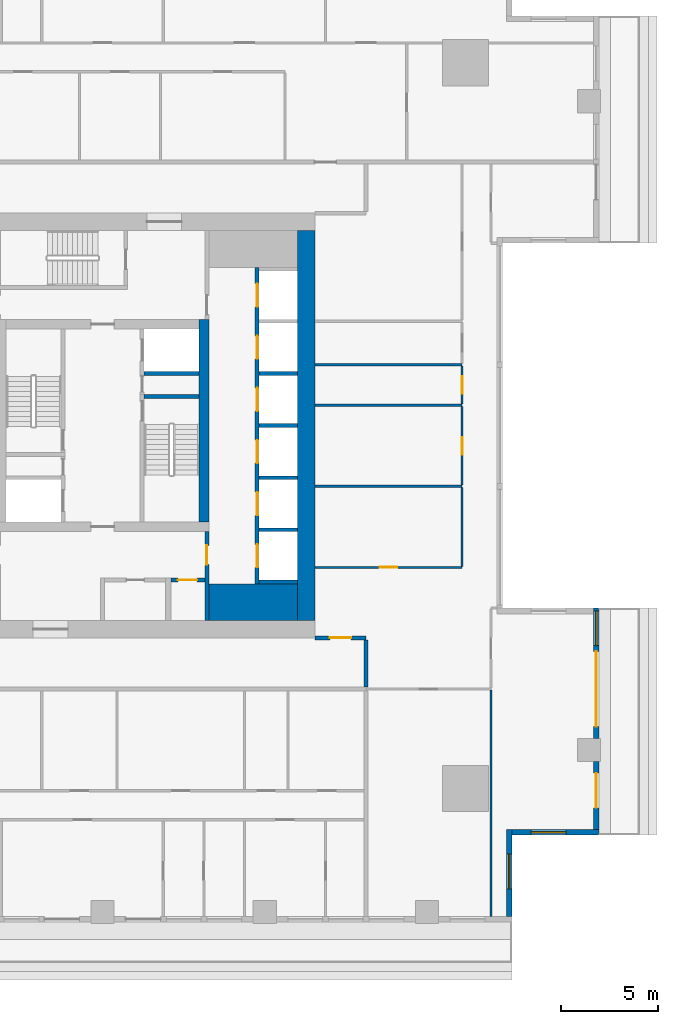
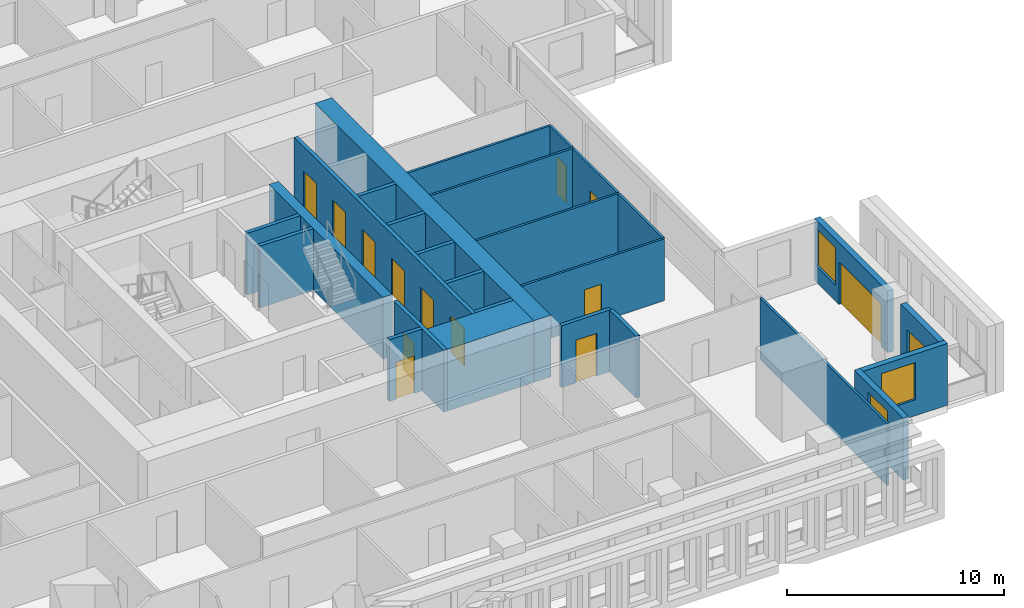
# One storey, part 5 of 15: 27 walls, 14 doors, 3 windows, 17 openings.
"""IFC4 building model written with IfcOpenShell, lengths in metres."""

from ifc_helpers import new_model, si_unit, direction, frame, frame_2d, origin, place, context, subcontext, project, spatial, rectangle, extrude, material, layer, layer_set, type_object, element, fill, save


model = new_model("IFC4")

# Units and contexts
model_context = context("Model", 3, precision=1e-05, world=origin(), true_north=direction((0.0, 1.0)))
body_context = subcontext(model_context, "Body", "Model", "MODEL_VIEW")
ifc_project = project(units=[si_unit("LENGTHUNIT", "METRE"), si_unit("AREAUNIT", "SQUARE_METRE"), si_unit("VOLUMEUNIT", "CUBIC_METRE"), si_unit("PLANEANGLEUNIT", "RADIAN"), si_unit("MASSUNIT", "GRAM", prefix="KILO")], contexts=[model_context])

# Site, building, storey
site_placement = place(None, origin())
site = spatial("IfcSite", under=ifc_project, at=site_placement, CompositionType="ELEMENT")
building_placement = place(site_placement, origin())
building = spatial("IfcBuilding", under=site, at=building_placement, Name="Khepri Terraces", CompositionType="ELEMENT")
storey_placement = place(building_placement, frame((0.0, 0.0, 215.699951171875)))
storey = spatial("IfcBuildingStorey", under=building, at=storey_placement, Name="L51", CompositionType="ELEMENT", Elevation=215.699951171875)

# Walls
ifc_material_1 = material(Name="Concrete C50/60", Category="concrete")
ifc_layer_1 = layer(ifc_material_1, 1.89990234375, Name="Concrete C50/60", Category="concrete")
ifc_layer_set_1 = layer_set([ifc_layer_1], Name="Concrete C50/60")
wall_type_1 = type_object("IfcWallType", Name="Core wall 1900 C50/60", PredefinedType="SHEAR", material=ifc_layer_set_1)
wall_1_placement = place(storey_placement, frame((5.5, -9.14990234375, 0.0), z_axis=(0.0, 0.0, 1.0), x_axis=(1.0, 0.0, 0.0)))
element("IfcWall", 1, at=wall_1_placement, inside=storey, type_object=wall_type_1, Name="Core wall PR02 L51", PredefinedType="SHEAR", context=body_context, shape_type="SweptSolid", body=[
    extrude(rectangle(XDim=4.60009765625, YDim=1.89990234375, at=frame_2d((2.300048828125, 0.0))), origin(), (0.0, 0.0, 1.0), 3.47998046875),
])
ifc_layer_2 = layer(ifc_material_1, 0.199951171875, Name="Concrete C50/60", Category="concrete")
ifc_layer_set_2 = layer_set([ifc_layer_2], Name="Concrete C50/60")
wall_type_2 = type_object("IfcWallType", Name="Core wall 200 C50/60", PredefinedType="SHEAR", material=ifc_layer_set_2)
wall_2_placement = place(storey_placement, frame((2.14990234375, 1.5, 0.0), z_axis=(0.0, 0.0, 1.0), x_axis=(1.0, 0.0, 0.0)))
element("IfcWall", 2, at=wall_2_placement, inside=storey, type_object=wall_type_2, Name="Core wall ST04 L51", PredefinedType="SHEAR", context=body_context, shape_type="SweptSolid", body=[
    extrude(rectangle(XDim=2.85009765625, YDim=0.199951171875, at=frame_2d((1.425048828125, 0.0))), origin(), (0.0, 0.0, 1.0), 3.47998046875),
])

# Wall, openings, doors
wall_3_placement = place(storey_placement, frame((8.0, -8.199951171875, 0.0), z_axis=(0.0, 0.0, 1.0), x_axis=(0.0, 1.0, 0.0)))
wall_3 = element("IfcWall", 3, at=wall_3_placement, inside=storey, type_object=wall_type_2, Name="Core wall SH02 L51", PredefinedType="SHEAR", context=body_context, shape_type="SweptSolid", body=[
    extrude(rectangle(XDim=16.39990234375, YDim=0.199951171875, at=frame_2d((8.199951171875, 0.0))), origin(), (0.0, 0.0, 1.0), 3.47998046875),
])
opening_1_placement = place(wall_3_placement, frame((0.85009765625, 0.0, 0.0)))
opening_1 = element("IfcOpeningElement", 4, at=opening_1_placement, cuts=wall_3, Name="Opening L51-C01", PredefinedType="OPENING", context=body_context, shape_type="SweptSolid", body=[
    extrude(rectangle(XDim=1.199951171875, YDim=2.10009765625, at=frame_2d((0.60009765625, 1.050048828125))), frame((0.0, 0.10986328125, 0.0), z_axis=(0.0, -1.0, 0.0), x_axis=(1.0, 0.0, 0.0)), (0.0, 0.0, 1.0), 0.219970703125),
])
opening_2_placement = place(wall_3_placement, frame((3.550048828125, 0.0, 0.0)))
opening_2 = element("IfcOpeningElement", 5, at=opening_2_placement, cuts=wall_3, Name="Opening L51-C02", PredefinedType="OPENING", context=body_context, shape_type="SweptSolid", body=[
    extrude(rectangle(XDim=1.199951171875, YDim=2.10009765625, at=frame_2d((0.60009765625, 1.050048828125))), frame((0.0, 0.10986328125, 0.0), z_axis=(0.0, -1.0, 0.0), x_axis=(1.0, 0.0, 0.0)), (0.0, 0.0, 1.0), 0.219970703125),
])
opening_3_placement = place(wall_3_placement, frame((6.25, 0.0, 0.0)))
opening_3 = element("IfcOpeningElement", 6, at=opening_3_placement, cuts=wall_3, Name="Opening L51-C03", PredefinedType="OPENING", context=body_context, shape_type="SweptSolid", body=[
    extrude(rectangle(XDim=1.199951171875, YDim=2.10009765625, at=frame_2d((0.60009765625, 1.050048828125))), frame((0.0, 0.10986328125, 0.0), z_axis=(0.0, -1.0, 0.0), x_axis=(1.0, 0.0, 0.0)), (0.0, 0.0, 1.0), 0.219970703125),
])
opening_4_placement = place(wall_3_placement, frame((8.949951171875, 0.0, 0.0)))
opening_4 = element("IfcOpeningElement", 7, at=opening_4_placement, cuts=wall_3, Name="Opening L51-C04", PredefinedType="OPENING", context=body_context, shape_type="SweptSolid", body=[
    extrude(rectangle(XDim=1.199951171875, YDim=2.10009765625, at=frame_2d((0.60009765625, 1.050048828125))), frame((0.0, 0.10986328125, 0.0), z_axis=(0.0, -1.0, 0.0), x_axis=(1.0, 0.0, 0.0)), (0.0, 0.0, 1.0), 0.219970703125),
])
opening_5_placement = place(wall_3_placement, frame((11.64990234375, 0.0, 0.0)))
opening_5 = element("IfcOpeningElement", 8, at=opening_5_placement, cuts=wall_3, Name="Opening L51-C05", PredefinedType="OPENING", context=body_context, shape_type="SweptSolid", body=[
    extrude(rectangle(XDim=1.199951171875, YDim=2.10009765625, at=frame_2d((0.60009765625, 1.050048828125))), frame((0.0, 0.10986328125, 0.0), z_axis=(0.0, -1.0, 0.0), x_axis=(1.0, 0.0, 0.0)), (0.0, 0.0, 1.0), 0.219970703125),
])
opening_6_placement = place(wall_3_placement, frame((14.35009765625, 0.0, 0.0)))
opening_6 = element("IfcOpeningElement", 9, at=opening_6_placement, cuts=wall_3, Name="Opening L51-C06", PredefinedType="OPENING", context=body_context, shape_type="SweptSolid", body=[
    extrude(rectangle(XDim=1.199951171875, YDim=2.10009765625, at=frame_2d((0.60009765625, 1.050048828125))), frame((0.0, 0.10986328125, 0.0), z_axis=(0.0, -1.0, 0.0), x_axis=(1.0, 0.0, 0.0)), (0.0, 0.0, 1.0), 0.219970703125),
])
ifc_material_2 = material(Name="Stainless steel 304", Category="steel")
door_type_1 = type_object("IfcDoorType", Name="DR-CORE-LANDING-1200", OperationType="NOTDEFINED", PredefinedType="DOOR", material=ifc_material_2)
door_1_placement = place(opening_1_placement, origin())
door_1 = element("IfcDoor", 10, at=door_1_placement, inside=storey, type_object=door_type_1, Name="Lift landing door L51-C01", OperationType="SLIDING_TO_LEFT", OverallHeight=2.10009765625, OverallWidth=1.199951171875, PredefinedType="DOOR", context=body_context, shape_type="SweptSolid", body=[
    extrude(rectangle(XDim=1.199951171875, YDim=2.10009765625, at=frame_2d((0.60009765625, 1.050048828125))), frame((0.0, 0.02490234375, 0.0), z_axis=(0.0, -1.0, 0.0), x_axis=(1.0, 0.0, 0.0)), (0.0, 0.0, 1.0), 0.050048828125),
])
fill(opening_1, door_1)
door_2_placement = place(opening_2_placement, origin())
door_2 = element("IfcDoor", 11, at=door_2_placement, inside=storey, type_object=door_type_1, Name="Lift landing door L51-C02", OperationType="SLIDING_TO_LEFT", OverallHeight=2.10009765625, OverallWidth=1.199951171875, PredefinedType="DOOR", context=body_context, shape_type="SweptSolid", body=[
    extrude(rectangle(XDim=1.199951171875, YDim=2.10009765625, at=frame_2d((0.60009765625, 1.050048828125))), frame((0.0, 0.02490234375, 0.0), z_axis=(0.0, -1.0, 0.0), x_axis=(1.0, 0.0, 0.0)), (0.0, 0.0, 1.0), 0.050048828125),
])
fill(opening_2, door_2)
door_3_placement = place(opening_3_placement, origin())
door_3 = element("IfcDoor", 12, at=door_3_placement, inside=storey, type_object=door_type_1, Name="Lift landing door L51-C03", OperationType="SLIDING_TO_LEFT", OverallHeight=2.10009765625, OverallWidth=1.199951171875, PredefinedType="DOOR", context=body_context, shape_type="SweptSolid", body=[
    extrude(rectangle(XDim=1.199951171875, YDim=2.10009765625, at=frame_2d((0.60009765625, 1.050048828125))), frame((0.0, 0.02490234375, 0.0), z_axis=(0.0, -1.0, 0.0), x_axis=(1.0, 0.0, 0.0)), (0.0, 0.0, 1.0), 0.050048828125),
])
fill(opening_3, door_3)
door_4_placement = place(opening_4_placement, origin())
door_4 = element("IfcDoor", 13, at=door_4_placement, inside=storey, type_object=door_type_1, Name="Lift landing door L51-C04", OperationType="SLIDING_TO_LEFT", OverallHeight=2.10009765625, OverallWidth=1.199951171875, PredefinedType="DOOR", context=body_context, shape_type="SweptSolid", body=[
    extrude(rectangle(XDim=1.199951171875, YDim=2.10009765625, at=frame_2d((0.60009765625, 1.050048828125))), frame((0.0, 0.02490234375, 0.0), z_axis=(0.0, -1.0, 0.0), x_axis=(1.0, 0.0, 0.0)), (0.0, 0.0, 1.0), 0.050048828125),
])
fill(opening_4, door_4)
door_5_placement = place(opening_5_placement, origin())
door_5 = element("IfcDoor", 14, at=door_5_placement, inside=storey, type_object=door_type_1, Name="Lift landing door L51-C05", OperationType="SLIDING_TO_LEFT", OverallHeight=2.10009765625, OverallWidth=1.199951171875, PredefinedType="DOOR", context=body_context, shape_type="SweptSolid", body=[
    extrude(rectangle(XDim=1.199951171875, YDim=2.10009765625, at=frame_2d((0.60009765625, 1.050048828125))), frame((0.0, 0.02490234375, 0.0), z_axis=(0.0, -1.0, 0.0), x_axis=(1.0, 0.0, 0.0)), (0.0, 0.0, 1.0), 0.050048828125),
])
fill(opening_5, door_5)
door_6_placement = place(opening_6_placement, origin())
door_6 = element("IfcDoor", 15, at=door_6_placement, inside=storey, type_object=door_type_1, Name="Lift landing door L51-C06", OperationType="SLIDING_TO_LEFT", OverallHeight=2.10009765625, OverallWidth=1.199951171875, PredefinedType="DOOR", context=body_context, shape_type="SweptSolid", body=[
    extrude(rectangle(XDim=1.199951171875, YDim=2.10009765625, at=frame_2d((0.60009765625, 1.050048828125))), frame((0.0, 0.02490234375, 0.0), z_axis=(0.0, -1.0, 0.0), x_axis=(1.0, 0.0, 0.0)), (0.0, 0.0, 1.0), 0.050048828125),
])
fill(opening_6, door_6)

# Walls
for number, where, z_axis, x_axis, name in (
    (16, (8.10009765625, -8.10009765625, 0.0), (0.0, 0.0, 1.0), (1.0, 0.0, 0.0), "Core wall SH03 L51"),
    (17, (8.10009765625, -5.39990234375, 0.0), (0.0, 0.0, 1.0), (1.0, 0.0, 0.0), "Core wall SH04 L51"),
    (18, (8.10009765625, -2.699951171875, 0.0), (0.0, 0.0, 1.0), (1.0, 0.0, 0.0), "Core wall SH08 L51"),
    (19, (8.10009765625, 0.0, 0.0), (0.0, 0.0, 1.0), (1.0, 0.0, 0.0), "Core wall SH09 L51"),
):
    element("IfcWall", number, at=place(storey_placement, frame(where, z_axis=z_axis, x_axis=x_axis)), inside=storey, type_object=wall_type_2, Name=name, PredefinedType="SHEAR", context=body_context, shape_type="SweptSolid", body=[
        extrude(rectangle(XDim=2.0, YDim=0.199951171875, at=frame_2d((1.0, 0.0))), origin(), (0.0, 0.0, 1.0), 3.47998046875),
    ])
wall_4_placement = place(storey_placement, frame((2.14990234375, 2.699951171875, 0.0), z_axis=(0.0, 0.0, 1.0), x_axis=(1.0, 0.0, 0.0)))
element("IfcWall", 20, at=wall_4_placement, inside=storey, type_object=wall_type_2, Name="Core wall SH12 L51", PredefinedType="SHEAR", context=body_context, shape_type="SweptSolid", body=[
    extrude(rectangle(XDim=2.85009765625, YDim=0.199951171875, at=frame_2d((1.425048828125, 0.0))), origin(), (0.0, 0.0, 1.0), 3.47998046875),
])
wall_5_placement = place(storey_placement, frame((8.10009765625, 2.699951171875, 0.0), z_axis=(0.0, 0.0, 1.0), x_axis=(1.0, 0.0, 0.0)))
element("IfcWall", 21, at=wall_5_placement, inside=storey, type_object=wall_type_2, Name="Core wall SH13 L51", PredefinedType="SHEAR", context=body_context, shape_type="SweptSolid", body=[
    extrude(rectangle(XDim=2.0, YDim=0.199951171875, at=frame_2d((1.0, 0.0))), origin(), (0.0, 0.0, 1.0), 3.47998046875),
])
ifc_layer_3 = layer(ifc_material_1, 0.5, Name="Concrete C50/60", Category="concrete")
ifc_layer_set_3 = layer_set([ifc_layer_3], Name="Concrete C50/60")
wall_type_3 = type_object("IfcWallType", Name="Core wall 500 C50/60", PredefinedType="SHEAR", material=ifc_layer_set_3)
wall_6_placement = place(storey_placement, frame((5.25, -5.0, 0.0), z_axis=(0.0, 0.0, 1.0), x_axis=(0.0, 1.0, 0.0)))
element("IfcWall", 22, at=wall_6_placement, inside=storey, type_object=wall_type_3, Name="Core wall BX03 L51", PredefinedType="SHEAR", context=body_context, shape_type="SweptSolid", body=[
    extrude(rectangle(XDim=10.5, YDim=0.5, at=frame_2d((5.25, 0.0))), origin(), (0.0, 0.0, 1.0), 3.47998046875),
])
ifc_layer_4 = layer(ifc_material_1, 0.89990234375, Name="Concrete C50/60", Category="concrete")
ifc_layer_set_4 = layer_set([ifc_layer_4], Name="Concrete C50/60")
wall_type_4 = type_object("IfcWallType", Name="Core wall 900 C50/60", PredefinedType="SHEAR", material=ifc_layer_set_4)
wall_7_placement = place(storey_placement, frame((10.550048828125, -10.10009765625, 0.0), z_axis=(0.0, 0.0, 1.0), x_axis=(0.0, 1.0, 0.0)))
element("IfcWall", 23, at=wall_7_placement, inside=storey, type_object=wall_type_4, Name="Core wall OW-E L51", PredefinedType="SHEAR", context=body_context, shape_type="SweptSolid", body=[
    extrude(rectangle(XDim=20.2001953125, YDim=0.89990234375, at=frame_2d((10.10009765625, 0.0))), origin(), (0.0, 0.0, 1.0), 3.47998046875),
])

# Wall, opening, door
ifc_material_3 = material(Name="Fire-rated gypsum board partition")
ifc_layer_5 = layer(ifc_material_3, 0.199951171875, Name="Fire-rated gypsum board partition")
ifc_layer_set_5 = layer_set([ifc_layer_5], Name="Fire-rated gypsum board partition")
wall_type_5 = type_object("IfcWallType", Name="WL-CORE-PART-200", PredefinedType="PARTITIONING", material=ifc_layer_set_5)
wall_8_placement = place(storey_placement, frame((5.39990234375, -10.10009765625, 0.0), z_axis=(0.0, 0.0, 1.0), x_axis=(0.0, 1.0, 0.0)))
wall_8 = element("IfcWall", 24, at=wall_8_placement, inside=storey, type_object=wall_type_5, Name="Core partition PT04 L51", PredefinedType="PARTITIONING", context=body_context, shape_type="SweptSolid", body=[
    extrude(rectangle(XDim=4.60009765625, YDim=0.199951171875, at=frame_2d((2.300048828125, 0.0))), origin(), (0.0, 0.0, 1.0), 3.47998046875),
])
opening_7_placement = place(wall_8_placement, frame((2.89990234375, 0.0, 0.0)))
opening_7 = element("IfcOpeningElement", 25, at=opening_7_placement, cuts=wall_8, Name="Opening L51-C19", PredefinedType="OPENING", context=body_context, shape_type="SweptSolid", body=[
    extrude(rectangle(XDim=1.0, YDim=2.10009765625, at=frame_2d((0.5, 1.050048828125))), frame((0.0, 0.10986328125, 0.0), z_axis=(0.0, -1.0, 0.0), x_axis=(1.0, 0.0, 0.0)), (0.0, 0.0, 1.0), 0.219970703125),
])
ifc_material_4 = material(Name="Painted steel", Category="steel")
door_type_2 = type_object("IfcDoorType", Name="DR-CORE-LOBBY-1000", OperationType="NOTDEFINED", PredefinedType="DOOR", material=ifc_material_4)
door_7_placement = place(opening_7_placement, origin())
door_7 = element("IfcDoor", 26, at=door_7_placement, inside=storey, type_object=door_type_2, Name="Lobby door L51-C19", OperationType="SINGLE_SWING_RIGHT", OverallHeight=2.10009765625, OverallWidth=1.0, PredefinedType="DOOR", context=body_context, shape_type="SweptSolid", body=[
    extrude(rectangle(XDim=1.0, YDim=2.10009765625, at=frame_2d((0.5, 1.050048828125))), frame((0.0, 0.02490234375, 0.0), z_axis=(0.0, -1.0, 0.0), x_axis=(1.0, 0.0, 0.0)), (0.0, 0.0, 1.0), 0.050048828125),
])
fill(opening_7, door_7)

wall_9_placement = place(storey_placement, frame((3.550048828125, -8.0, 0.0), z_axis=(0.0, 0.0, 1.0), x_axis=(1.0, 0.0, 0.0)))
wall_9 = element("IfcWall", 27, at=wall_9_placement, inside=storey, type_object=wall_type_5, Name="Core partition PT07 L51", PredefinedType="PARTITIONING", context=body_context, shape_type="SweptSolid", body=[
    extrude(rectangle(XDim=1.75, YDim=0.199951171875, at=frame_2d((0.875, 0.0))), origin(), (0.0, 0.0, 1.0), 3.47998046875),
])
opening_8_placement = place(wall_9_placement, frame((0.35009765625, 0.0, 0.0)))
opening_8 = element("IfcOpeningElement", 28, at=opening_8_placement, cuts=wall_9, Name="Opening L51-C23", PredefinedType="OPENING", context=body_context, shape_type="SweptSolid", body=[
    extrude(rectangle(XDim=1.0, YDim=2.10009765625, at=frame_2d((0.5, 1.050048828125))), frame((0.0, 0.10986328125, 0.0), z_axis=(0.0, -1.0, 0.0), x_axis=(1.0, 0.0, 0.0)), (0.0, 0.0, 1.0), 0.219970703125),
])
ifc_material_5 = material(Name="Timber veneer", Category="wood")
door_type_3 = type_object("IfcDoorType", Name="DR-CORE-WC-1000", OperationType="NOTDEFINED", PredefinedType="DOOR", material=ifc_material_5)
door_8_placement = place(opening_8_placement, frame((1.0, 0.0, 0.0), z_axis=(0.0, 0.0, 1.0), x_axis=(-1.0, 0.0, 0.0)))
door_8 = element("IfcDoor", 29, at=door_8_placement, inside=storey, type_object=door_type_3, Name="WC door L51-C23", OperationType="SINGLE_SWING_RIGHT", OverallHeight=2.10009765625, OverallWidth=1.0, PredefinedType="DOOR", context=body_context, shape_type="SweptSolid", body=[
    extrude(rectangle(XDim=1.0, YDim=2.10009765625, at=frame_2d((0.5, 1.050048828125))), frame((0.0, 0.02490234375, 0.0), z_axis=(0.0, -1.0, 0.0), x_axis=(1.0, 0.0, 0.0)), (0.0, 0.0, 1.0), 0.050048828125),
])
fill(opening_8, door_8)

# Wall
ifc_material_6 = material(Name="Fire-rated gypsum plasterboard partition, mineral wool")
ifc_layer_6 = layer(ifc_material_6, 0.199951171875, Name="Fire-rated gypsum plasterboard partition, mineral wool")
ifc_layer_set_6 = layer_set([ifc_layer_6], Name="Fire-rated gypsum plasterboard partition, mineral wool")
wall_type_6 = type_object("IfcWallType", Name="WL-CORR-200", PredefinedType="PARTITIONING", material=ifc_layer_set_6)
wall_10_placement = place(storey_placement, frame((13.64990234375, -13.550048828125, 0.0), z_axis=(0.0, 0.0, 1.0), x_axis=(0.0, 1.0, 0.0)))
element("IfcWall", 30, at=wall_10_placement, inside=storey, type_object=wall_type_6, Name="Partition P-024 L51", PredefinedType="PARTITIONING", context=body_context, shape_type="SweptSolid", body=[
    extrude(rectangle(XDim=2.449951171875, YDim=0.199951171875, at=frame_2d((1.22509765625, 0.0))), origin(), (0.0, 0.0, 1.0), 3.47998046875),
])

# Wall, opening, door
wall_11_placement = place(storey_placement, frame((11.0, -11.0, 0.0), z_axis=(0.0, 0.0, 1.0), x_axis=(1.0, 0.0, 0.0)))
wall_11 = element("IfcWall", 31, at=wall_11_placement, inside=storey, type_object=wall_type_6, Name="Partition P-029 L51", PredefinedType="PARTITIONING", context=body_context, shape_type="SweptSolid", body=[
    extrude(rectangle(XDim=2.64990234375, YDim=0.199951171875, at=frame_2d((1.324951171875, 0.0))), origin(), (0.0, 0.0, 1.0), 3.47998046875),
])
opening_9_placement = place(wall_11_placement, frame((0.77490234375, 0.0, 0.0)))
opening_9 = element("IfcOpeningElement", 32, at=opening_9_placement, cuts=wall_11, Name="Opening D1", PredefinedType="OPENING", context=body_context, shape_type="SweptSolid", body=[
    extrude(rectangle(XDim=1.10009765625, YDim=2.39990234375, at=frame_2d((0.550048828125, 1.199951171875))), frame((0.0, 0.10986328125, 0.0), z_axis=(0.0, -1.0, 0.0), x_axis=(1.0, 0.0, 0.0)), (0.0, 0.0, 1.0), 0.219970703125),
])
ifc_material_7 = material(Name="Solid-core timber door leaf, flat entrance door", Category="wood")
door_type_4 = type_object("IfcDoorType", Name="DR-ENT-1100", OperationType="NOTDEFINED", PredefinedType="DOOR", material=ifc_material_7)
door_9_placement = place(opening_9_placement, origin())
door_9 = element("IfcDoor", 33, at=door_9_placement, inside=storey, type_object=door_type_4, Name="Flat B1 entrance door", OperationType="SINGLE_SWING_LEFT", OverallHeight=2.39990234375, OverallWidth=1.10009765625, PredefinedType="DOOR", context=body_context, shape_type="SweptSolid", body=[
    extrude(rectangle(XDim=1.10009765625, YDim=2.39990234375, at=frame_2d((0.550048828125, 1.199951171875))), frame((0.0, 0.02490234375, 0.0), z_axis=(0.0, -1.0, 0.0), x_axis=(1.0, 0.0, 0.0)), (0.0, 0.0, 1.0), 0.050048828125),
])
fill(opening_9, door_9)

# Wall, opening, window
ifc_material_8 = material(Name="Precast concrete C50/60 warm stone", Category="masonry")
ifc_layer_7 = layer(ifc_material_8, 0.300048828125, Name="Precast concrete C50/60 warm stone", Category="masonry")
ifc_layer_set_7 = layer_set([ifc_layer_7], Name="Precast concrete C50/60 warm stone")
wall_type_7 = type_object("IfcWallType", Name="WL-EXT-PRECAST-300", PredefinedType="STANDARD", material=ifc_layer_set_7)
wall_12_placement = place(storey_placement, frame((21.219970703125, -21.070068359375, 0.0), z_axis=(0.0, 0.0, 1.0), x_axis=(1.0, 0.0, 0.0)))
wall_12 = element("IfcWall", 34, at=wall_12_placement, inside=storey, type_object=wall_type_7, Name="External wall L51 S", PredefinedType="STANDARD", context=body_context, shape_type="SweptSolid", body=[
    extrude(rectangle(XDim=4.5, YDim=0.300048828125, at=frame_2d((2.25, 0.0))), origin(), (0.0, 0.0, 1.0), 3.47998046875),
])
opening_10_placement = place(wall_12_placement, frame((0.97998046875, 0.0, 0.89990234375)))
opening_10 = element("IfcOpeningElement", 35, at=opening_10_placement, cuts=wall_12, Name="Opening W1", PredefinedType="OPENING", context=body_context, shape_type="SweptSolid", body=[
    extrude(rectangle(XDim=1.800048828125, YDim=2.10009765625, at=frame_2d((0.89990234375, 1.050048828125))), frame((0.0, 0.16015625, 0.0), z_axis=(0.0, -1.0, 0.0), x_axis=(1.0, 0.0, 0.0)), (0.0, 0.0, 1.0), 0.320068359375),
])
ifc_material_9 = material(Name="Clear glass", Category="glass")
window_type = type_object("IfcWindowType", Name="WIN-RES-1800x2100", PartitioningType="SINGLE_PANEL", PredefinedType="WINDOW", material=ifc_material_9)
window_1_placement = place(opening_10_placement, origin())
window_1 = element("IfcWindow", 36, at=window_1_placement, inside=storey, type_object=window_type, Name="Window L51 S", OverallHeight=2.10009765625, OverallWidth=1.800048828125, PartitioningType="SINGLE_PANEL", PredefinedType="WINDOW", context=body_context, shape_type="SweptSolid", body=[
    extrude(rectangle(XDim=1.800048828125, YDim=2.10009765625, at=frame_2d((0.89990234375, 1.050048828125))), frame((0.0, 0.030029296875, 0.0), z_axis=(0.0, -1.0, 0.0), x_axis=(1.0, 0.0, 0.0)), (0.0, 0.0, 1.0), 0.06005859375),
])
fill(opening_10, window_1)

# Wall, opening, door
wall_13_placement = place(storey_placement, frame((25.570068359375, -20.919921875, 0.0), z_axis=(0.0, 0.0, 1.0), x_axis=(0.0, 1.0, 0.0)))
wall_13 = element("IfcWall", 37, at=wall_13_placement, inside=storey, type_object=wall_type_7, Name="External wall L51 E", PredefinedType="STANDARD", context=body_context, shape_type="SweptSolid", body=[
    extrude(rectangle(XDim=3.52001953125, YDim=0.300048828125, at=frame_2d((1.760009765625, 0.0))), origin(), (0.0, 0.0, 1.0), 3.47998046875),
])
opening_11_placement = place(wall_13_placement, frame((1.1201171875, 0.0, 0.0)))
opening_11 = element("IfcOpeningElement", 38, at=opening_11_placement, cuts=wall_13, Name="Opening ED-L51-01", PredefinedType="OPENING", context=body_context, shape_type="SweptSolid", body=[
    extrude(rectangle(XDim=1.800048828125, YDim=2.39990234375, at=frame_2d((0.89990234375, 1.199951171875))), frame((0.0, 0.16015625, 0.0), z_axis=(0.0, -1.0, 0.0), x_axis=(1.0, 0.0, 0.0)), (0.0, 0.0, 1.0), 0.320068359375),
])
ifc_material_10 = material(Name="Anodised aluminium bronze glazed door", Category="aluminium")
door_type_5 = type_object("IfcDoorType", Name="DR-BAL-SLIDE-1800x2400", OperationType="NOTDEFINED", PredefinedType="DOOR", material=ifc_material_10)
door_10_placement = place(opening_11_placement, origin())
door_10 = element("IfcDoor", 39, at=door_10_placement, inside=storey, type_object=door_type_5, Name="Balcony door L51 E", OperationType="SLIDING_TO_RIGHT", OverallHeight=2.39990234375, OverallWidth=1.800048828125, PredefinedType="DOOR", context=body_context, shape_type="SweptSolid", body=[
    extrude(rectangle(XDim=1.800048828125, YDim=2.39990234375, at=frame_2d((0.89990234375, 1.199951171875))), frame((0.0, 0.02490234375, 0.0), z_axis=(0.0, -1.0, 0.0), x_axis=(1.0, 0.0, 0.0)), (0.0, 0.0, 1.0), 0.050048828125),
])
fill(opening_11, door_10)

# Wall, openings, door, window
wall_14_placement = place(storey_placement, frame((25.570068359375, -16.199951171875, 0.0), z_axis=(0.0, 0.0, 1.0), x_axis=(0.0, 1.0, 0.0)))
wall_14 = element("IfcWall", 40, at=wall_14_placement, inside=storey, type_object=wall_type_7, Name="External wall L51 E", PredefinedType="STANDARD", context=body_context, shape_type="SweptSolid", body=[
    extrude(rectangle(XDim=6.75, YDim=0.300048828125, at=frame_2d((3.375, 0.0))), origin(), (0.0, 0.0, 1.0), 3.47998046875),
])
opening_12_placement = place(wall_14_placement, frame((0.60009765625, 0.0, 0.0)))
opening_12 = element("IfcOpeningElement", 41, at=opening_12_placement, cuts=wall_14, Name="Opening ED-L51-02", PredefinedType="OPENING", context=body_context, shape_type="SweptSolid", body=[
    extrude(rectangle(XDim=3.89990234375, YDim=2.39990234375, at=frame_2d((1.949951171875, 1.199951171875))), frame((0.0, 0.16015625, 0.0), z_axis=(0.0, -1.0, 0.0), x_axis=(1.0, 0.0, 0.0)), (0.0, 0.0, 1.0), 0.320068359375),
])
opening_13_placement = place(wall_14_placement, frame((4.800048828125, 0.0, 0.89990234375)))
opening_13 = element("IfcOpeningElement", 42, at=opening_13_placement, cuts=wall_14, Name="Opening W1", PredefinedType="OPENING", context=body_context, shape_type="SweptSolid", body=[
    extrude(rectangle(XDim=1.800048828125, YDim=2.10009765625, at=frame_2d((0.89990234375, 1.050048828125))), frame((0.0, 0.16015625, 0.0), z_axis=(0.0, -1.0, 0.0), x_axis=(1.0, 0.0, 0.0)), (0.0, 0.0, 1.0), 0.320068359375),
])
door_type_6 = type_object("IfcDoorType", Name="DR-BAL-SLIDE-3900x2400", OperationType="NOTDEFINED", PredefinedType="DOOR", material=ifc_material_10)
door_11_placement = place(opening_12_placement, origin())
door_11 = element("IfcDoor", 43, at=door_11_placement, inside=storey, type_object=door_type_6, Name="Balcony door L51 E", OperationType="SLIDING_TO_LEFT", OverallHeight=2.39990234375, OverallWidth=3.89990234375, PredefinedType="DOOR", context=body_context, shape_type="SweptSolid", body=[
    extrude(rectangle(XDim=3.89990234375, YDim=2.39990234375, at=frame_2d((1.949951171875, 1.199951171875))), frame((0.0, 0.02490234375, 0.0), z_axis=(0.0, -1.0, 0.0), x_axis=(1.0, 0.0, 0.0)), (0.0, 0.0, 1.0), 0.050048828125),
])
fill(opening_12, door_11)
window_2_placement = place(opening_13_placement, origin())
window_2 = element("IfcWindow", 44, at=window_2_placement, inside=storey, type_object=window_type, Name="Window L51 E", OverallHeight=2.10009765625, OverallWidth=1.800048828125, PartitioningType="SINGLE_PANEL", PredefinedType="WINDOW", context=body_context, shape_type="SweptSolid", body=[
    extrude(rectangle(XDim=1.800048828125, YDim=2.10009765625, at=frame_2d((0.89990234375, 1.050048828125))), frame((0.0, 0.030029296875, 0.0), z_axis=(0.0, -1.0, 0.0), x_axis=(1.0, 0.0, 0.0)), (0.0, 0.0, 1.0), 0.06005859375),
])
fill(opening_13, window_2)

# Wall, opening, window
wall_15_placement = place(storey_placement, frame((21.070068359375, -25.419921875, 0.0), z_axis=(0.0, 0.0, 1.0), x_axis=(0.0, 1.0, 0.0)))
wall_15 = element("IfcWall", 45, at=wall_15_placement, inside=storey, type_object=wall_type_7, Name="External wall L51 E", PredefinedType="STANDARD", context=body_context, shape_type="SweptSolid", body=[
    extrude(rectangle(XDim=4.5, YDim=0.300048828125, at=frame_2d((2.25, 0.0))), origin(), (0.0, 0.0, 1.0), 3.47998046875),
])
opening_14_placement = place(wall_15_placement, frame((1.419921875, 0.0, 0.89990234375)))
opening_14 = element("IfcOpeningElement", 46, at=opening_14_placement, cuts=wall_15, Name="Opening W1", PredefinedType="OPENING", context=body_context, shape_type="SweptSolid", body=[
    extrude(rectangle(XDim=1.800048828125, YDim=2.10009765625, at=frame_2d((0.89990234375, 1.050048828125))), frame((0.0, 0.16015625, 0.0), z_axis=(0.0, -1.0, 0.0), x_axis=(1.0, 0.0, 0.0)), (0.0, 0.0, 1.0), 0.320068359375),
])
window_3_placement = place(opening_14_placement, origin())
window_3 = element("IfcWindow", 47, at=window_3_placement, inside=storey, type_object=window_type, Name="Window L51 E", OverallHeight=2.10009765625, OverallWidth=1.800048828125, PartitioningType="SINGLE_PANEL", PredefinedType="WINDOW", context=body_context, shape_type="SweptSolid", body=[
    extrude(rectangle(XDim=1.800048828125, YDim=2.10009765625, at=frame_2d((0.89990234375, 1.050048828125))), frame((0.0, 0.030029296875, 0.0), z_axis=(0.0, -1.0, 0.0), x_axis=(1.0, 0.0, 0.0)), (0.0, 0.0, 1.0), 0.06005859375),
])
fill(opening_14, window_3)

# Wall
ifc_material_11 = material(Name="Gypsum plasterboard partition")
ifc_layer_8 = layer(ifc_material_11, 0.1201171875, Name="Gypsum plasterboard partition")
ifc_layer_set_8 = layer_set([ifc_layer_8], Name="Gypsum plasterboard partition")
wall_type_8 = type_object("IfcWallType", Name="WL-PART-120", PredefinedType="PARTITIONING", material=ifc_layer_set_8)
wall_16_placement = place(storey_placement, frame((20.1201171875, -25.419921875, 0.0), z_axis=(0.0, 0.0, 1.0), x_axis=(0.0, 1.0, 0.0)))
element("IfcWall", 48, at=wall_16_placement, inside=storey, type_object=wall_type_8, Name="Partition P-008 L51", PredefinedType="PARTITIONING", context=body_context, shape_type="SweptSolid", body=[
    extrude(rectangle(XDim=11.7099609375, YDim=0.1201171875, at=frame_2d((5.85498046875, 0.0))), origin(), (0.0, 0.0, 1.0), 3.47998046875),
])

# Wall, opening, door
wall_17_placement = place(storey_placement, frame((11.0, -7.35009765625, 0.0), z_axis=(0.0, 0.0, 1.0), x_axis=(1.0, 0.0, 0.0)))
wall_17 = element("IfcWall", 49, at=wall_17_placement, inside=storey, type_object=wall_type_8, Name="Partition P-034 L51", PredefinedType="PARTITIONING", context=body_context, shape_type="SweptSolid", body=[
    extrude(rectangle(XDim=7.6201171875, YDim=0.1201171875, at=frame_2d((3.81005859375, 0.0))), origin(), (0.0, 0.0, 1.0), 3.47998046875),
])
opening_15_placement = place(wall_17_placement, frame((3.360107421875, 0.0, 0.0)))
opening_15 = element("IfcOpeningElement", 50, at=opening_15_placement, cuts=wall_17, Name="Opening D3", PredefinedType="OPENING", context=body_context, shape_type="SweptSolid", body=[
    extrude(rectangle(XDim=0.89990234375, YDim=2.10009765625, at=frame_2d((0.449951171875, 1.050048828125))), frame((0.0, 0.070068359375, 0.0), z_axis=(0.0, -1.0, 0.0), x_axis=(1.0, 0.0, 0.0)), (0.0, 0.0, 1.0), 0.14013671875),
])
ifc_material_12 = material(Name="Timber door leaf", Category="wood")
door_type_7 = type_object("IfcDoorType", Name="DR-INT-900", OperationType="NOTDEFINED", PredefinedType="DOOR", material=ifc_material_12)
door_12_placement = place(opening_15_placement, origin())
door_12 = element("IfcDoor", 51, at=door_12_placement, inside=storey, type_object=door_type_7, Name="Door Kitchen", OperationType="SINGLE_SWING_RIGHT", OverallHeight=2.10009765625, OverallWidth=0.89990234375, PredefinedType="DOOR", context=body_context, shape_type="SweptSolid", body=[
    extrude(rectangle(XDim=0.89990234375, YDim=2.10009765625, at=frame_2d((0.449951171875, 1.050048828125))), frame((0.0, 0.02490234375, 0.0), z_axis=(0.0, -1.0, 0.0), x_axis=(1.0, 0.0, 0.0)), (0.0, 0.0, 1.0), 0.050048828125),
])
fill(opening_15, door_12)

# Walls
wall_18_placement = place(storey_placement, frame((18.6201171875, -7.2900390625, 0.0), z_axis=(0.0, 0.0, 1.0), x_axis=(0.0, 1.0, 0.0)))
element("IfcWall", 52, at=wall_18_placement, inside=storey, type_object=wall_type_8, Name="Partition P-036 L51", PredefinedType="PARTITIONING", context=body_context, shape_type="SweptSolid", body=[
    extrude(rectangle(XDim=4.080078125, YDim=0.1201171875, at=frame_2d((2.0400390625, 0.0))), origin(), (0.0, 0.0, 1.0), 3.47998046875),
])
wall_19_placement = place(storey_placement, frame((11.0, -3.14990234375, 0.0), z_axis=(0.0, 0.0, 1.0), x_axis=(1.0, 0.0, 0.0)))
element("IfcWall", 53, at=wall_19_placement, inside=storey, type_object=wall_type_8, Name="Partition P-041 L51", PredefinedType="PARTITIONING", context=body_context, shape_type="SweptSolid", body=[
    extrude(rectangle(XDim=7.6201171875, YDim=0.1201171875, at=frame_2d((3.81005859375, 0.0))), origin(), (0.0, 0.0, 1.0), 3.47998046875),
])

# Wall, opening, door
wall_20_placement = place(storey_placement, frame((18.6201171875, -3.090087890625, 0.0), z_axis=(0.0, 0.0, 1.0), x_axis=(0.0, 1.0, 0.0)))
wall_20 = element("IfcWall", 54, at=wall_20_placement, inside=storey, type_object=wall_type_8, Name="Partition P-043 L51", PredefinedType="PARTITIONING", context=body_context, shape_type="SweptSolid", body=[
    extrude(rectangle(XDim=4.080078125, YDim=0.1201171875, at=frame_2d((2.0400390625, 0.0))), origin(), (0.0, 0.0, 1.0), 3.47998046875),
])
opening_16_placement = place(wall_20_placement, frame((1.590087890625, 0.0, 0.0)))
opening_16 = element("IfcOpeningElement", 55, at=opening_16_placement, cuts=wall_20, Name="Opening D3", PredefinedType="OPENING", context=body_context, shape_type="SweptSolid", body=[
    extrude(rectangle(XDim=0.89990234375, YDim=2.10009765625, at=frame_2d((0.449951171875, 1.050048828125))), frame((0.0, 0.070068359375, 0.0), z_axis=(0.0, -1.0, 0.0), x_axis=(1.0, 0.0, 0.0)), (0.0, 0.0, 1.0), 0.14013671875),
])
door_13_placement = place(opening_16_placement, origin())
door_13 = element("IfcDoor", 56, at=door_13_placement, inside=storey, type_object=door_type_7, Name="Door Staff Bedroom", OperationType="SINGLE_SWING_RIGHT", OverallHeight=2.10009765625, OverallWidth=0.89990234375, PredefinedType="DOOR", context=body_context, shape_type="SweptSolid", body=[
    extrude(rectangle(XDim=0.89990234375, YDim=2.10009765625, at=frame_2d((0.449951171875, 1.050048828125))), frame((0.0, 0.02490234375, 0.0), z_axis=(0.0, -1.0, 0.0), x_axis=(1.0, 0.0, 0.0)), (0.0, 0.0, 1.0), 0.050048828125),
])
fill(opening_16, door_13)

# Wall
wall_21_placement = place(storey_placement, frame((11.0, 1.050048828125, 0.0), z_axis=(0.0, 0.0, 1.0), x_axis=(1.0, 0.0, 0.0)))
element("IfcWall", 57, at=wall_21_placement, inside=storey, type_object=wall_type_8, Name="Partition P-046 L51", PredefinedType="PARTITIONING", context=body_context, shape_type="SweptSolid", body=[
    extrude(rectangle(XDim=7.6201171875, YDim=0.1201171875, at=frame_2d((3.81005859375, 0.0))), origin(), (0.0, 0.0, 1.0), 3.47998046875),
])

# Wall, opening, door
wall_22_placement = place(storey_placement, frame((18.6201171875, 1.110107421875, 0.0), z_axis=(0.0, 0.0, 1.0), x_axis=(0.0, 1.0, 0.0)))
wall_22 = element("IfcWall", 58, at=wall_22_placement, inside=storey, type_object=wall_type_8, Name="Partition P-049 L51", PredefinedType="PARTITIONING", context=body_context, shape_type="SweptSolid", body=[
    extrude(rectangle(XDim=1.97998046875, YDim=0.1201171875, at=frame_2d((0.989990234375, 0.0))), origin(), (0.0, 0.0, 1.0), 3.47998046875),
])
opening_17_placement = place(wall_22_placement, frame((0.5400390625, 0.0, 0.0)))
opening_17 = element("IfcOpeningElement", 59, at=opening_17_placement, cuts=wall_22, Name="Opening D4", PredefinedType="OPENING", context=body_context, shape_type="SweptSolid", body=[
    extrude(rectangle(XDim=0.89990234375, YDim=2.10009765625, at=frame_2d((0.449951171875, 1.050048828125))), frame((0.0, 0.070068359375, 0.0), z_axis=(0.0, -1.0, 0.0), x_axis=(1.0, 0.0, 0.0)), (0.0, 0.0, 1.0), 0.14013671875),
])
ifc_material_13 = material(Name="Timber door leaf, moisture resistant", Category="wood")
door_type_8 = type_object("IfcDoorType", Name="DR-WET-900", OperationType="NOTDEFINED", PredefinedType="DOOR", material=ifc_material_13)
door_14_placement = place(opening_17_placement, origin())
door_14 = element("IfcDoor", 60, at=door_14_placement, inside=storey, type_object=door_type_8, Name="Door Powder Room", OperationType="SINGLE_SWING_RIGHT", OverallHeight=2.10009765625, OverallWidth=0.89990234375, PredefinedType="DOOR", context=body_context, shape_type="SweptSolid", body=[
    extrude(rectangle(XDim=0.89990234375, YDim=2.10009765625, at=frame_2d((0.449951171875, 1.050048828125))), frame((0.0, 0.02490234375, 0.0), z_axis=(0.0, -1.0, 0.0), x_axis=(1.0, 0.0, 0.0)), (0.0, 0.0, 1.0), 0.050048828125),
])
fill(opening_17, door_14)

# Wall
wall_23_placement = place(storey_placement, frame((11.0, 3.14990234375, 0.0), z_axis=(0.0, 0.0, 1.0), x_axis=(1.0, 0.0, 0.0)))
element("IfcWall", 61, at=wall_23_placement, inside=storey, type_object=wall_type_8, Name="Partition P-050 L51", PredefinedType="PARTITIONING", context=body_context, shape_type="SweptSolid", body=[
    extrude(rectangle(XDim=7.6201171875, YDim=0.1201171875, at=frame_2d((3.81005859375, 0.0))), origin(), (0.0, 0.0, 1.0), 3.47998046875),
])

save(model, "model.ifc")
